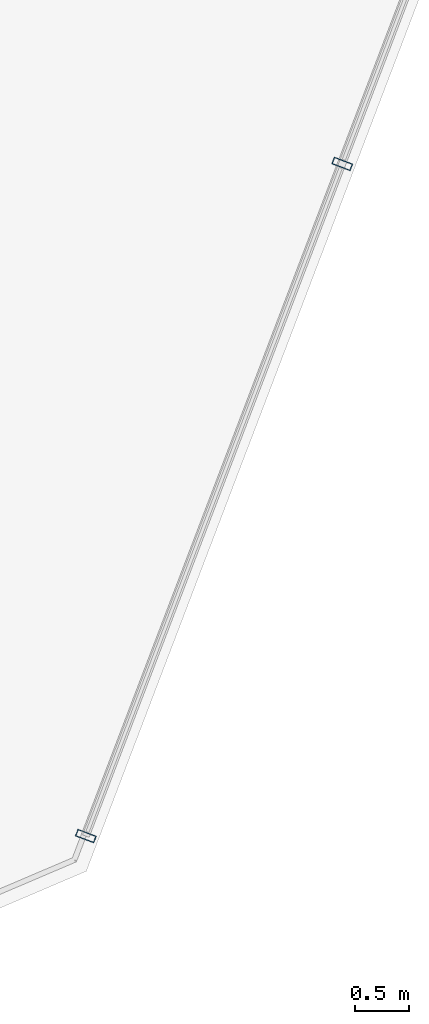
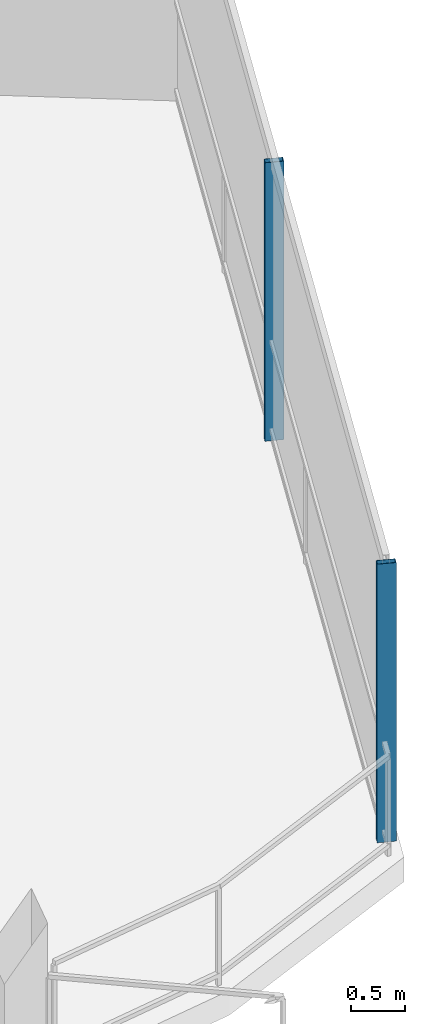
# One storey, part 11 of 27: 2 members, 1 element without a shape of its own.
"""IFC4 building model written with IfcOpenShell, lengths in metres."""

from ifc_helpers import new_model, si_unit, direction, frame, origin, origin_2d, place, context, subcontext, project, spatial, hollow_rectangle, extrude, material, layer, layer_set, material_profile, profile_set, type_object, element, aggregate, save


model = new_model("IFC4")

# Units and contexts
model_context = context("Model", 3, precision=1e-05, world=origin(), true_north=direction((0.0, 1.0)))
body_context = subcontext(model_context, "Body", "Model", "MODEL_VIEW")
ifc_project = project(units=[si_unit("LENGTHUNIT", "METRE"), si_unit("AREAUNIT", "SQUARE_METRE"), si_unit("VOLUMEUNIT", "CUBIC_METRE"), si_unit("PLANEANGLEUNIT", "RADIAN"), si_unit("MASSUNIT", "GRAM", prefix="KILO")], contexts=[model_context])

# Site, building, storey
site_placement = place(None, origin())
site = spatial("IfcSite", under=ifc_project, at=site_placement, CompositionType="ELEMENT")
building_placement = place(site_placement, origin())
building = spatial("IfcBuilding", under=site, at=building_placement, Name="Qarnah Convention Tower", CompositionType="ELEMENT")
storey_placement = place(building_placement, frame((0.0, 0.0, 100.5)))
storey = spatial("IfcBuildingStorey", under=building, at=storey_placement, Name="L26", CompositionType="ELEMENT", Elevation=100.5)

# Curtain wall, members
ifc_material_1 = material(Name="Tempered Low-E dark glass", Category="glass")
ifc_layer = layer(ifc_material_1, 0.169921875)
ifc_layer_set = layer_set([ifc_layer], Name="Tempered Low-E dark glass")
curtain_wall_type = type_object("IfcCurtainWallType", Name="CWS-02", PredefinedType="NOTDEFINED", material=ifc_layer_set)
curtain_wall_placement = place(storey_placement, origin())
curtain_wall = element("IfcCurtainWall", 1, at=curtain_wall_placement, inside=storey, type_object=curtain_wall_type, Name="L26 unitised curtain wall CW-L26-F1", PredefinedType="NOTDEFINED")
ifc_material_2 = material(Name="Black anodised aluminium", Category="aluminium")
ifc_material_profile = material_profile(ifc_material_2, hollow_rectangle(XDim=0.06494140625, YDim=0.179931640625, WallThickness=0.00390625, at=origin_2d()), Name="MUL-65X180")
ifc_profile_set = profile_set([ifc_material_profile], Name="Black anodised aluminium")
member_type = type_object("IfcMemberType", Name="MUL-T2", PredefinedType="MULLION", material=ifc_profile_set)
member_1_placement = place(storey_placement, frame((51.092041015625, 10.48974609375, 0.0), z_axis=(0.0, 0.0, 1.0), x_axis=(-0.356401833509, -0.934332774268, 0.0)))
member_1 = element("IfcMember", 2, at=member_1_placement, type_object=member_type, Name="CW-L26-F1 mullion 5", PredefinedType="MULLION", context=body_context, shape_type="SweptSolid", body=[
    extrude(hollow_rectangle(XDim=0.06494140625, YDim=0.179931640625, WallThickness=0.00390625, at=origin_2d()), origin(), (0.0, 0.0, 1.0), 3.169921875),
])
member_2_placement = place(storey_placement, frame((48.737060546875, 4.31591796875, 0.0), z_axis=(0.0, 0.0, 1.0), x_axis=(-0.356401833509, -0.934332774268, 0.0)))
member_2 = element("IfcMember", 3, at=member_2_placement, type_object=member_type, Name="CW-L26-F1 mullion 6", PredefinedType="MULLION", context=body_context, shape_type="SweptSolid", body=[
    extrude(hollow_rectangle(XDim=0.06494140625, YDim=0.179931640625, WallThickness=0.00390625, at=origin_2d()), origin(), (0.0, 0.0, 1.0), 3.169921875),
])
aggregate(curtain_wall, [member_1, member_2])

save(model, "model.ifc")
